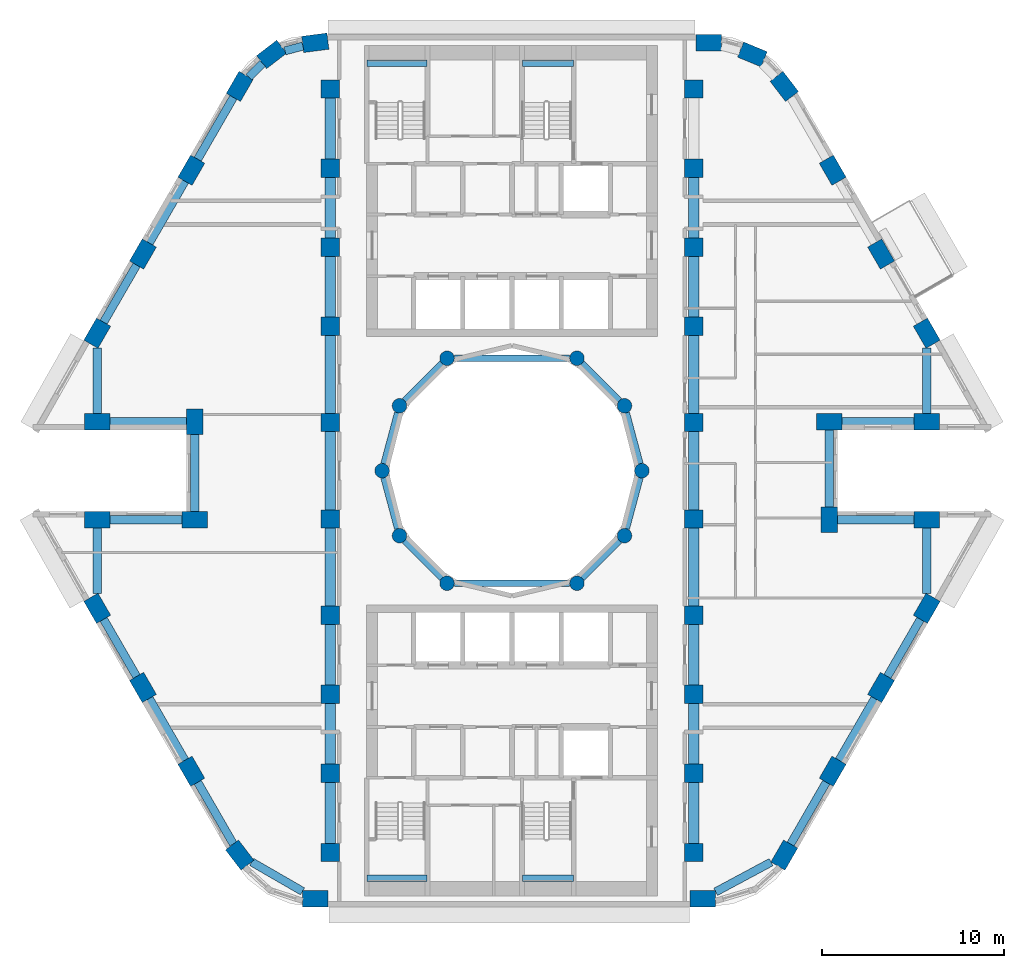
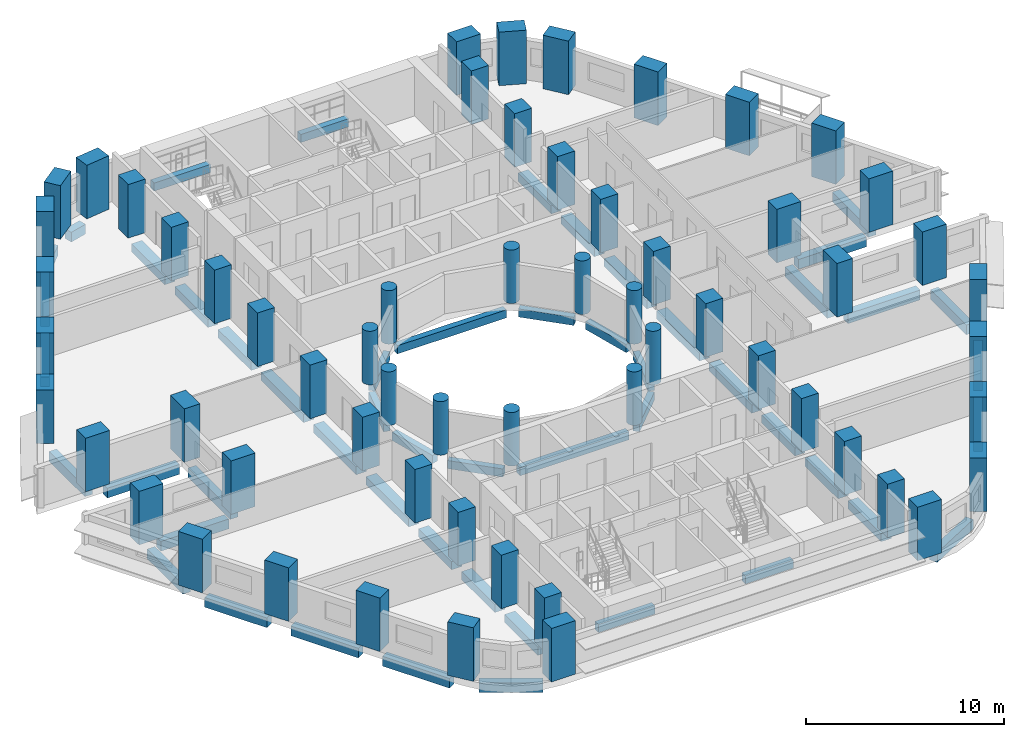
# One storey, part 1 of 13: 60 columns, 54 beams.
"""IFC4 building model written with IfcOpenShell, lengths in metres."""

from ifc_helpers import new_model, si_unit, direction, frame, origin, origin_2d, place, context, subcontext, project, spatial, rectangle, circle, extrude, material, material_profile, profile_set, type_object, element, save


model = new_model("IFC4")

# Units and contexts
model_context = context("Model", 3, precision=1e-05, world=origin(), true_north=direction((0.0, 1.0)))
body_context = subcontext(model_context, "Body", "Model", "MODEL_VIEW")
ifc_project = project(units=[si_unit("LENGTHUNIT", "METRE"), si_unit("AREAUNIT", "SQUARE_METRE"), si_unit("VOLUMEUNIT", "CUBIC_METRE"), si_unit("PLANEANGLEUNIT", "RADIAN"), si_unit("MASSUNIT", "GRAM", prefix="KILO")], contexts=[model_context])

# Site, building, storey
site_placement = place(None, origin())
site = spatial("IfcSite", under=ifc_project, at=site_placement, CompositionType="ELEMENT")
building_placement = place(site_placement, origin())
building = spatial("IfcBuilding", under=site, at=building_placement, Name="Nakaniwa Court", CompositionType="ELEMENT")
storey_placement = place(building_placement, frame((0.0, 0.0, 77.699951171875)))
storey = spatial("IfcBuildingStorey", under=building, at=storey_placement, Name="L19", CompositionType="ELEMENT", Elevation=77.699951171875)

# Columns
ifc_material = material(Name="Concrete C80/100", Category="concrete")
ifc_material_profile_1 = material_profile(ifc_material, rectangle(XDim=1.0, YDim=1.0, at=origin_2d()), Name="Concrete C80/100 RC 1000x1000 spine column")
ifc_profile_set_1 = profile_set([ifc_material_profile_1], Name="Concrete C80/100")
column_type_1 = type_object("IfcColumnType", Name="Concrete C80/100 RC 1000x1000 spine column", PredefinedType="COLUMN", material=ifc_profile_set_1)
for number, where, z_axis, x_axis, name in (
    (1, (90.0, 59.0, 0.0), (0.0, 0.0, 1.0), (0.0, 1.0, 0.0), "COLUMN CS-01"),
    (2, (90.0, 63.35009765625, 0.0), (0.0, 0.0, 1.0), (0.0, 1.0, 0.0), "COLUMN CS-02"),
    (3, (90.0, 67.699951171875, 0.0), (0.0, 0.0, 1.0), (0.0, 1.0, 0.0), "COLUMN CS-03"),
    (4, (90.0, 72.050048828125, 0.0), (0.0, 0.0, 1.0), (0.0, 1.0, 0.0), "COLUMN CS-04"),
    (5, (90.0, 77.35009765625, 0.0), (0.0, 0.0, 1.0), (0.0, 1.0, 0.0), "COLUMN CS-05"),
    (6, (90.0, 82.64990234375, 0.0), (0.0, 0.0, 1.0), (0.0, 1.0, 0.0), "COLUMN CS-06"),
    (7, (90.0, 87.949951171875, 0.0), (0.0, 0.0, 1.0), (0.0, 1.0, 0.0), "COLUMN CS-07"),
    (8, (90.0, 92.300048828125, 0.0), (0.0, 0.0, 1.0), (0.0, 1.0, 0.0), "COLUMN CS-08"),
    (9, (90.0, 96.64990234375, 0.0), (0.0, 0.0, 1.0), (0.0, 1.0, 0.0), "COLUMN CS-09"),
    (10, (90.0, 101.0, 0.0), (0.0, 0.0, 1.0), (0.0, 1.0, 0.0), "COLUMN CS-10"),
    (11, (70.0, 101.0, 0.0), (0.0, 0.0, 1.0), (0.0, -1.0, 0.0), "COLUMN CS-11"),
    (12, (70.0, 96.64990234375, 0.0), (0.0, 0.0, 1.0), (0.0, -1.0, 0.0), "COLUMN CS-12"),
    (13, (70.0, 92.300048828125, 0.0), (0.0, 0.0, 1.0), (0.0, -1.0, 0.0), "COLUMN CS-13"),
    (14, (70.0, 87.949951171875, 0.0), (0.0, 0.0, 1.0), (0.0, -1.0, 0.0), "COLUMN CS-14"),
    (15, (70.0, 82.64990234375, 0.0), (0.0, 0.0, 1.0), (0.0, -1.0, 0.0), "COLUMN CS-15"),
    (16, (70.0, 77.35009765625, 0.0), (0.0, 0.0, 1.0), (0.0, -1.0, 0.0), "COLUMN CS-16"),
    (17, (70.0, 72.050048828125, 0.0), (0.0, 0.0, 1.0), (0.0, -1.0, 0.0), "COLUMN CS-17"),
    (18, (70.0, 67.699951171875, 0.0), (0.0, 0.0, 1.0), (0.0, -1.0, 0.0), "COLUMN CS-18"),
    (19, (70.0, 63.35009765625, 0.0), (0.0, 0.0, 1.0), (0.0, -1.0, 0.0), "COLUMN CS-19"),
    (20, (70.0, 59.0, 0.0), (0.0, 0.0, 1.0), (0.0, -1.0, 0.0), "COLUMN CS-20"),
):
    element("IfcColumn", number, at=place(storey_placement, frame(where, z_axis=z_axis, x_axis=x_axis)), inside=storey, type_object=column_type_1, Name=name, PredefinedType="COLUMN", context=body_context, shape_type="SweptSolid", body=[
        extrude(rectangle(XDim=1.0, YDim=1.0, at=origin_2d()), origin(), (0.0, 0.0, 1.0), 3.300048828125),
    ])
ifc_material_profile_2 = material_profile(ifc_material, rectangle(XDim=1.39990234375, YDim=0.89990234375, at=origin_2d()), Name="Concrete C80/100 RC 1400x900 perimeter column")
ifc_profile_set_2 = profile_set([ifc_material_profile_2], Name="Concrete C80/100")
column_type_2 = type_object("IfcColumnType", Name="Concrete C80/100 RC 1400x900 perimeter column", PredefinedType="COLUMN", material=ifc_profile_set_2)
for number, where, z_axis, x_axis, name in (
    (21, (69.17529296875, 103.550048828125, 0.0), (0.0, 0.0, 1.0), (-0.991442583111, -0.130543496177, 0.0), "COLUMN CO-01"),
    (22, (66.772705078125, 102.91015625, 0.0), (0.0, 0.0, 1.0), (-0.793363965062, -0.608747582288, 0.0), "COLUMN CO-02"),
    (23, (65.017578125, 101.1494140625, 0.0), (0.0, 0.0, 1.0), (-0.5, -0.866025403784, 0.0), "COLUMN CO-03"),
    (24, (62.3544921875, 96.537109375, 0.0), (0.0, 0.0, 1.0), (-0.5, -0.866025403784, 0.0), "COLUMN CO-04"),
    (25, (59.691650390625, 91.9248046875, 0.0), (0.0, 0.0, 1.0), (-0.5, -0.866025403784, 0.0), "COLUMN CO-05"),
    (26, (57.177001953125, 87.569580078125, 0.0), (0.0, 0.0, 1.0), (-0.5, -0.866025403784, 0.0), "COLUMN CO-06"),
    (27, (57.177001953125, 82.699951171875, 0.0), (0.0, 0.0, 1.0), (1.0, 0.0, 0.0), "COLUMN CO-08"),
    (28, (62.54150390625, 82.699951171875, 0.0), (0.0, 0.0, 1.0), (0.0, -1.0, 0.0), "COLUMN CO-09"),
    (29, (62.54150390625, 77.300048828125, 0.0), (0.0, 0.0, 1.0), (-1.0, 0.0, 0.0), "COLUMN CO-10"),
    (30, (57.177001953125, 77.300048828125, 0.0), (0.0, 0.0, 1.0), (-1.0, 0.0, 0.0), "COLUMN CO-11"),
    (31, (57.177001953125, 72.430419921875, 0.0), (0.0, 0.0, 1.0), (0.5, -0.866025403784, 0.0), "COLUMN CO-13"),
    (32, (59.691650390625, 68.0751953125, 0.0), (0.0, 0.0, 1.0), (0.5, -0.866025403784, 0.0), "COLUMN CO-14"),
    (33, (62.3544921875, 63.462890625, 0.0), (0.0, 0.0, 1.0), (0.5, -0.866025403784, 0.0), "COLUMN CO-15"),
    (34, (65.017578125, 58.8505859375, 0.0), (0.0, 0.0, 1.0), (0.608761429009, -0.793353340291, 0.0), "COLUMN CO-16"),
    (35, (69.17529296875, 56.449951171875, 0.0), (0.0, 0.0, 1.0), (1.0, 0.0, 0.0), "COLUMN CO-17"),
    (36, (90.507080078125, 56.449951171875, 0.0), (0.0, 0.0, 1.0), (1.0, 0.0, 0.0), "COLUMN CO-21"),
    (37, (94.982421875, 58.8505859375, 0.0), (0.0, 0.0, 1.0), (0.5, 0.866025403784, 0.0), "COLUMN CO-22"),
    (38, (97.6455078125, 63.462890625, 0.0), (0.0, 0.0, 1.0), (0.5, 0.866025403784, 0.0), "COLUMN CO-23"),
    (39, (100.308349609375, 68.0751953125, 0.0), (0.0, 0.0, 1.0), (0.5, 0.866025403784, 0.0), "COLUMN CO-24"),
    (40, (102.822998046875, 72.430419921875, 0.0), (0.0, 0.0, 1.0), (0.5, 0.866025403784, 0.0), "COLUMN CO-25"),
    (41, (102.822998046875, 77.300048828125, 0.0), (0.0, 0.0, 1.0), (-1.0, 0.0, 0.0), "COLUMN CO-27"),
    (42, (97.45849609375, 77.300048828125, 0.0), (0.0, 0.0, 1.0), (0.0, 1.0, 0.0), "COLUMN CO-28"),
    (43, (97.45849609375, 82.699951171875, 0.0), (0.0, 0.0, 1.0), (1.0, 0.0, 0.0), "COLUMN CO-29"),
    (44, (102.822998046875, 82.699951171875, 0.0), (0.0, 0.0, 1.0), (1.0, 0.0, 0.0), "COLUMN CO-30"),
    (45, (102.822998046875, 87.569580078125, 0.0), (0.0, 0.0, 1.0), (-0.5, 0.866025403784, 0.0), "COLUMN CO-32"),
    (46, (100.308349609375, 91.9248046875, 0.0), (0.0, 0.0, 1.0), (-0.5, 0.866025403784, 0.0), "COLUMN CO-33"),
    (47, (97.6455078125, 96.537109375, 0.0), (0.0, 0.0, 1.0), (-0.5, 0.866025403784, 0.0), "COLUMN CO-34"),
    (48, (94.982421875, 101.1494140625, 0.0), (0.0, 0.0, 1.0), (-0.608761429009, 0.793353340291, 0.0), "COLUMN CO-35"),
    (49, (93.227294921875, 102.91015625, 0.0), (0.0, 0.0, 1.0), (-0.923879532511, 0.382683432365, 0.0), "COLUMN CO-36"),
    (50, (90.82470703125, 103.550048828125, 0.0), (0.0, 0.0, 1.0), (-1.0, 0.0, 0.0), "COLUMN CO-37"),
):
    element("IfcColumn", number, at=place(storey_placement, frame(where, z_axis=z_axis, x_axis=x_axis)), inside=storey, type_object=column_type_2, Name=name, PredefinedType="COLUMN", context=body_context, shape_type="SweptSolid", body=[
        extrude(rectangle(XDim=1.39990234375, YDim=0.89990234375, at=origin_2d()), origin(), (0.0, 0.0, 1.0), 3.300048828125),
    ])
ifc_material_profile_3 = material_profile(ifc_material, circle(Radius=0.39990234375, at=origin_2d()), Name="Concrete C80/100 RC D800 inner ring column")
ifc_profile_set_3 = profile_set([ifc_material_profile_3], Name="Concrete C80/100")
column_type_3 = type_object("IfcColumnType", Name="Concrete C80/100 RC D800 inner ring column", PredefinedType="COLUMN", material=ifc_profile_set_3)
for number, where, z_axis, x_axis, name in (
    (51, (87.14990234375, 80.0, 0.0), (0.0, 0.0, 1.0), (0.0, 1.0, 0.0), "COLUMN CI-01"),
    (52, (86.192138671875, 83.574951171875, 0.0), (0.0, 0.0, 1.0), (-0.5, 0.866025403784, 0.0), "COLUMN CI-02"),
    (53, (83.574951171875, 86.192138671875, 0.0), (0.0, 0.0, 1.0), (-0.866025403784, 0.5, 0.0), "COLUMN CI-03"),
    (54, (76.425048828125, 86.192138671875, 0.0), (0.0, 0.0, 1.0), (-0.866025403784, -0.5, 0.0), "COLUMN CI-05"),
    (55, (73.807861328125, 83.574951171875, 0.0), (0.0, 0.0, 1.0), (-0.5, -0.866025403784, 0.0), "COLUMN CI-06"),
    (56, (72.85009765625, 80.0, 0.0), (0.0, 0.0, 1.0), (0.0, -1.0, 0.0), "COLUMN CI-07"),
    (57, (73.807861328125, 76.425048828125, 0.0), (0.0, 0.0, 1.0), (0.5, -0.866025403784, 0.0), "COLUMN CI-08"),
    (58, (76.425048828125, 73.807861328125, 0.0), (0.0, 0.0, 1.0), (0.866025403784, -0.5, 0.0), "COLUMN CI-09"),
    (59, (83.574951171875, 73.807861328125, 0.0), (0.0, 0.0, 1.0), (0.866025403784, 0.5, 0.0), "COLUMN CI-11"),
    (60, (86.192138671875, 76.425048828125, 0.0), (0.0, 0.0, 1.0), (0.5, 0.866025403784, 0.0), "COLUMN CI-12"),
):
    element("IfcColumn", number, at=place(storey_placement, frame(where, z_axis=z_axis, x_axis=x_axis)), inside=storey, type_object=column_type_3, Name=name, PredefinedType="COLUMN", context=body_context, shape_type="SweptSolid", body=[
        extrude(circle(Radius=0.39990234375, at=origin_2d()), origin(), (0.0, 0.0, 1.0), 3.300048828125),
    ])

# Beams
ifc_material_profile_4 = material_profile(ifc_material, rectangle(XDim=0.35009765625, YDim=0.5, at=origin_2d()), Name="Concrete C80/100 RC 350x500 landing ledge beam")
ifc_profile_set_4 = profile_set([ifc_material_profile_4], Name="Concrete C80/100")
beam_type_1 = type_object("IfcBeamType", Name="Concrete C80/100 RC 350x500 landing ledge beam", PredefinedType="BEAM", material=ifc_profile_set_4)
beam_1_placement = place(storey_placement, frame((72.02490234375, 102.425048828125, 1.199951171875), z_axis=(1.0, 0.0, 0.0), x_axis=(0.0, 1.0, 0.0)))
element("IfcBeam", 61, at=beam_1_placement, inside=storey, type_object=beam_type_1, Name="LANDING LEDGE BEAM", PredefinedType="BEAM", context=body_context, shape_type="SweptSolid", body=[
    extrude(rectangle(XDim=0.35009765625, YDim=0.5, at=origin_2d()), origin(), (0.0, 0.0, 1.0), 3.300048828125),
])
beam_2_placement = place(storey_placement, frame((80.574951171875, 102.425048828125, 1.199951171875), z_axis=(1.0, 0.0, 0.0), x_axis=(0.0, 1.0, 0.0)))
element("IfcBeam", 62, at=beam_2_placement, inside=storey, type_object=beam_type_1, Name="LANDING LEDGE BEAM", PredefinedType="BEAM", context=body_context, shape_type="SweptSolid", body=[
    extrude(rectangle(XDim=0.35009765625, YDim=0.5, at=origin_2d()), origin(), (0.0, 0.0, 1.0), 2.800048828125),
])
beam_3_placement = place(storey_placement, frame((72.02490234375, 57.574951171875, 1.199951171875), z_axis=(1.0, 0.0, 0.0), x_axis=(0.0, 1.0, 0.0)))
element("IfcBeam", 63, at=beam_3_placement, inside=storey, type_object=beam_type_1, Name="LANDING LEDGE BEAM", PredefinedType="BEAM", context=body_context, shape_type="SweptSolid", body=[
    extrude(rectangle(XDim=0.35009765625, YDim=0.5, at=origin_2d()), origin(), (0.0, 0.0, 1.0), 3.300048828125),
])
beam_4_placement = place(storey_placement, frame((80.574951171875, 57.574951171875, 1.199951171875), z_axis=(1.0, 0.0, 0.0), x_axis=(0.0, 1.0, 0.0)))
element("IfcBeam", 64, at=beam_4_placement, inside=storey, type_object=beam_type_1, Name="LANDING LEDGE BEAM", PredefinedType="BEAM", context=body_context, shape_type="SweptSolid", body=[
    extrude(rectangle(XDim=0.35009765625, YDim=0.5, at=origin_2d()), origin(), (0.0, 0.0, 1.0), 2.800048828125),
])
ifc_material_profile_5 = material_profile(ifc_material, rectangle(XDim=0.35009765625, YDim=0.5, at=origin_2d()), Name="Concrete C80/100 RC 350x500 ring beam")
ifc_profile_set_5 = profile_set([ifc_material_profile_5], Name="Concrete C80/100")
beam_type_2 = type_object("IfcBeamType", Name="Concrete C80/100 RC 350x500 ring beam", PredefinedType="BEAM", material=ifc_profile_set_5)
beam_5_placement = place(storey_placement, frame((87.04638671875, 80.386474609375, -0.659912109375), z_axis=(-0.258778150207, 0.965936783115, 0.0), x_axis=(-0.965936783115, -0.258778150207, 0.0)))
element("IfcBeam", 65, at=beam_5_placement, inside=storey, type_object=beam_type_2, Name="RING BEAM", PredefinedType="BEAM", context=body_context, shape_type="SweptSolid", body=[
    extrude(rectangle(XDim=0.35009765625, YDim=0.5, at=origin_2d()), origin(), (0.0, 0.0, 1.0), 2.901123046875),
])
beam_6_placement = place(storey_placement, frame((85.9091796875, 83.85791015625, -0.659912109375), z_axis=(-0.707106781187, 0.707106781187, 0.0), x_axis=(-0.707106781187, -0.707106781187, 0.0)))
element("IfcBeam", 66, at=beam_6_placement, inside=storey, type_object=beam_type_2, Name="RING BEAM", PredefinedType="BEAM", context=body_context, shape_type="SweptSolid", body=[
    extrude(rectangle(XDim=0.35009765625, YDim=0.5, at=origin_2d()), origin(), (0.0, 0.0, 1.0), 2.90087890625),
])
beam_7_placement = place(storey_placement, frame((83.175048828125, 86.192138671875, -0.659912109375), z_axis=(-1.0, 0.0, 0.0), x_axis=(0.0, -1.0, 0.0)))
element("IfcBeam", 67, at=beam_7_placement, inside=storey, type_object=beam_type_2, Name="RING BEAM", PredefinedType="BEAM", context=body_context, shape_type="SweptSolid", body=[
    extrude(rectangle(XDim=0.35009765625, YDim=0.5, at=origin_2d()), origin(), (0.0, 0.0, 1.0), 6.35009765625),
])
beam_8_placement = place(storey_placement, frame((76.14208984375, 85.9091796875, -0.659912109375), z_axis=(-0.707106781187, -0.707106781187, 0.0), x_axis=(0.707106781187, -0.707106781187, 0.0)))
element("IfcBeam", 68, at=beam_8_placement, inside=storey, type_object=beam_type_2, Name="RING BEAM", PredefinedType="BEAM", context=body_context, shape_type="SweptSolid", body=[
    extrude(rectangle(XDim=0.35009765625, YDim=0.5, at=origin_2d()), origin(), (0.0, 0.0, 1.0), 2.90087890625),
])
for number, where, z_axis, x_axis, name in (
    (69, (73.704345703125, 83.188720703125, -0.659912109375), (-0.258778150207, -0.965936783115, 0.0), (0.965936783115, -0.258778150207, 0.0), "RING BEAM"),
    (70, (72.95361328125, 79.613525390625, -0.659912109375), (0.258778150207, -0.965936783115, 0.0), (0.965936783115, 0.258778150207, 0.0), "RING BEAM"),
):
    element("IfcBeam", number, at=place(storey_placement, frame(where, z_axis=z_axis, x_axis=x_axis)), inside=storey, type_object=beam_type_2, Name=name, PredefinedType="BEAM", context=body_context, shape_type="SweptSolid", body=[
        extrude(rectangle(XDim=0.35009765625, YDim=0.5, at=origin_2d()), origin(), (0.0, 0.0, 1.0), 2.901123046875),
    ])
beam_9_placement = place(storey_placement, frame((74.0908203125, 76.14208984375, -0.659912109375), z_axis=(0.707106781187, -0.707106781187, 0.0), x_axis=(0.707106781187, 0.707106781187, 0.0)))
element("IfcBeam", 71, at=beam_9_placement, inside=storey, type_object=beam_type_2, Name="RING BEAM", PredefinedType="BEAM", context=body_context, shape_type="SweptSolid", body=[
    extrude(rectangle(XDim=0.35009765625, YDim=0.5, at=origin_2d()), origin(), (0.0, 0.0, 1.0), 2.90087890625),
])
beam_10_placement = place(storey_placement, frame((76.824951171875, 73.807861328125, -0.659912109375), z_axis=(1.0, 0.0, 0.0), x_axis=(0.0, 1.0, 0.0)))
element("IfcBeam", 72, at=beam_10_placement, inside=storey, type_object=beam_type_2, Name="RING BEAM", PredefinedType="BEAM", context=body_context, shape_type="SweptSolid", body=[
    extrude(rectangle(XDim=0.35009765625, YDim=0.5, at=origin_2d()), origin(), (0.0, 0.0, 1.0), 6.35009765625),
])
beam_11_placement = place(storey_placement, frame((83.85791015625, 74.0908203125, -0.659912109375), z_axis=(0.707106781187, 0.707106781187, 0.0), x_axis=(-0.707106781187, 0.707106781187, 0.0)))
element("IfcBeam", 73, at=beam_11_placement, inside=storey, type_object=beam_type_2, Name="RING BEAM", PredefinedType="BEAM", context=body_context, shape_type="SweptSolid", body=[
    extrude(rectangle(XDim=0.35009765625, YDim=0.5, at=origin_2d()), origin(), (0.0, 0.0, 1.0), 2.90087890625),
])
beam_12_placement = place(storey_placement, frame((86.295654296875, 76.811279296875, -0.659912109375), z_axis=(0.258778150207, 0.965936783115, 0.0), x_axis=(-0.965936783115, 0.258778150207, 0.0)))
element("IfcBeam", 74, at=beam_12_placement, inside=storey, type_object=beam_type_2, Name="RING BEAM", PredefinedType="BEAM", context=body_context, shape_type="SweptSolid", body=[
    extrude(rectangle(XDim=0.35009765625, YDim=0.5, at=origin_2d()), origin(), (0.0, 0.0, 1.0), 2.901123046875),
])
ifc_material_profile_6 = material_profile(ifc_material, rectangle(XDim=0.449951171875, YDim=0.60009765625, at=origin_2d()), Name="Concrete C80/100 RC 450x600 spandrel beam")
ifc_profile_set_6 = profile_set([ifc_material_profile_6], Name="Concrete C80/100")
beam_type_3 = type_object("IfcBeamType", Name="Concrete C80/100 RC 450x600 spandrel beam", PredefinedType="BEAM", material=ifc_profile_set_6)
beam_13_placement = place(storey_placement, frame((68.4931640625, 103.368408203125, -0.7099609375), z_axis=(-0.966290412053, -0.257454538851, 0.0), x_axis=(0.257454538851, -0.966290412053, 0.0)))
element("IfcBeam", 75, at=beam_13_placement, inside=storey, type_object=beam_type_3, Name="SPANDREL BEAM", PredefinedType="BEAM", context=body_context, shape_type="SweptSolid", body=[
    extrude(rectangle(XDim=0.449951171875, YDim=0.60009765625, at=origin_2d()), origin(), (0.0, 0.0, 1.0), 1.022216796875),
])
beam_14_placement = place(storey_placement, frame((66.274169921875, 102.41015625, -0.7099609375), z_axis=(-0.70606530329, -0.708146727374, 0.0), x_axis=(0.708146727374, -0.70606530329, 0.0)))
element("IfcBeam", 76, at=beam_14_placement, inside=storey, type_object=beam_type_3, Name="SPANDREL BEAM", PredefinedType="BEAM", context=body_context, shape_type="SweptSolid", body=[
    extrude(rectangle(XDim=0.449951171875, YDim=0.60009765625, at=origin_2d()), origin(), (0.0, 0.0, 1.0), 1.0556640625),
])
for number, where, z_axis, x_axis, name in (
    (77, (64.66748046875, 100.543212890625, -0.7099609375), (-0.49999161165, -0.866030246746, 0.0), (0.866030246746, -0.49999161165, 0.0), "SPANDREL BEAM"),
    (78, (62.00439453125, 95.930908203125, -0.7099609375), (-0.49999161165, -0.866030246746, 0.0), (0.866030246746, -0.49999161165, 0.0), "SPANDREL BEAM"),
):
    element("IfcBeam", number, at=place(storey_placement, frame(where, z_axis=z_axis, x_axis=x_axis)), inside=storey, type_object=beam_type_3, Name=name, PredefinedType="BEAM", context=body_context, shape_type="SweptSolid", body=[
        extrude(rectangle(XDim=0.449951171875, YDim=0.60009765625, at=origin_2d()), origin(), (0.0, 0.0, 1.0), 3.92578125),
    ])
beam_15_placement = place(storey_placement, frame((59.341552734375, 91.318603515625, -0.7099609375), z_axis=(-0.499988394233, -0.866032104273, 0.0), x_axis=(0.866032104273, -0.499988394233, 0.0)))
element("IfcBeam", 79, at=beam_15_placement, inside=storey, type_object=beam_type_3, Name="SPANDREL BEAM", PredefinedType="BEAM", context=body_context, shape_type="SweptSolid", body=[
    extrude(rectangle(XDim=0.449951171875, YDim=0.60009765625, at=origin_2d()), origin(), (0.0, 0.0, 1.0), 3.62890625),
])
beam_16_placement = place(storey_placement, frame((57.177001953125, 86.761474609375, -0.7099609375), z_axis=(0.0, -1.0, 0.0), x_axis=(1.0, 0.0, 0.0)))
element("IfcBeam", 80, at=beam_16_placement, inside=storey, type_object=beam_type_3, Name="SPANDREL BEAM", PredefinedType="BEAM", context=body_context, shape_type="SweptSolid", body=[
    extrude(rectangle(XDim=0.449951171875, YDim=0.60009765625, at=origin_2d()), origin(), (0.0, 0.0, 1.0), 3.611572265625),
])
beam_17_placement = place(storey_placement, frame((57.877197265625, 82.699951171875, -0.7099609375), z_axis=(1.0, 0.0, 0.0), x_axis=(0.0, 1.0, 0.0)))
element("IfcBeam", 81, at=beam_17_placement, inside=storey, type_object=beam_type_3, Name="SPANDREL BEAM", PredefinedType="BEAM", context=body_context, shape_type="SweptSolid", body=[
    extrude(rectangle(XDim=0.449951171875, YDim=0.60009765625, at=origin_2d()), origin(), (0.0, 0.0, 1.0), 4.21435546875),
])
beam_18_placement = place(storey_placement, frame((62.54150390625, 82.0, -0.7099609375), z_axis=(0.0, -1.0, 0.0), x_axis=(1.0, 0.0, 0.0)))
element("IfcBeam", 82, at=beam_18_placement, inside=storey, type_object=beam_type_3, Name="SPANDREL BEAM", PredefinedType="BEAM", context=body_context, shape_type="SweptSolid", body=[
    extrude(rectangle(XDim=0.449951171875, YDim=0.60009765625, at=origin_2d()), origin(), (0.0, 0.0, 1.0), 4.25),
])
beam_19_placement = place(storey_placement, frame((61.841552734375, 77.300048828125, -0.7099609375), z_axis=(-1.0, 0.0, 0.0), x_axis=(0.0, -1.0, 0.0)))
element("IfcBeam", 83, at=beam_19_placement, inside=storey, type_object=beam_type_3, Name="SPANDREL BEAM", PredefinedType="BEAM", context=body_context, shape_type="SweptSolid", body=[
    extrude(rectangle(XDim=0.449951171875, YDim=0.60009765625, at=origin_2d()), origin(), (0.0, 0.0, 1.0), 3.96435546875),
])
beam_20_placement = place(storey_placement, frame((57.177001953125, 76.85009765625, -0.7099609375), z_axis=(0.0, -1.0, 0.0), x_axis=(1.0, 0.0, 0.0)))
element("IfcBeam", 84, at=beam_20_placement, inside=storey, type_object=beam_type_3, Name="SPANDREL BEAM", PredefinedType="BEAM", context=body_context, shape_type="SweptSolid", body=[
    extrude(rectangle(XDim=0.449951171875, YDim=0.60009765625, at=origin_2d()), origin(), (0.0, 0.0, 1.0), 3.611572265625),
])
beam_21_placement = place(storey_placement, frame((57.527099609375, 71.82421875, -0.7099609375), z_axis=(0.499988394233, -0.866032104273, 0.0), x_axis=(0.866032104273, 0.499988394233, 0.0)))
element("IfcBeam", 85, at=beam_21_placement, inside=storey, type_object=beam_type_3, Name="SPANDREL BEAM", PredefinedType="BEAM", context=body_context, shape_type="SweptSolid", body=[
    extrude(rectangle(XDim=0.449951171875, YDim=0.60009765625, at=origin_2d()), origin(), (0.0, 0.0, 1.0), 3.62890625),
])
beam_22_placement = place(storey_placement, frame((60.04150390625, 67.468994140625, -0.7099609375), z_axis=(0.49999161165, -0.866030246746, 0.0), x_axis=(0.866030246746, 0.49999161165, 0.0)))
element("IfcBeam", 86, at=beam_22_placement, inside=storey, type_object=beam_type_3, Name="SPANDREL BEAM", PredefinedType="BEAM", context=body_context, shape_type="SweptSolid", body=[
    extrude(rectangle(XDim=0.449951171875, YDim=0.60009765625, at=origin_2d()), origin(), (0.0, 0.0, 1.0), 3.92578125),
])
beam_23_placement = place(storey_placement, frame((62.70458984375, 62.856689453125, -0.7099609375), z_axis=(0.499997407846, -0.86602690036, 0.0), x_axis=(0.86602690036, 0.499997407846, 0.0)))
element("IfcBeam", 87, at=beam_23_placement, inside=storey, type_object=beam_type_3, Name="SPANDREL BEAM", PredefinedType="BEAM", context=body_context, shape_type="SweptSolid", body=[
    extrude(rectangle(XDim=0.449951171875, YDim=0.60009765625, at=origin_2d()), origin(), (0.0, 0.0, 1.0), 3.919921875),
])
beam_24_placement = place(storey_placement, frame((65.673583984375, 58.4716796875, -0.7099609375), z_axis=(0.866014675542, -0.5000185814, 0.0), x_axis=(0.5000185814, 0.866014675542, 0.0)))
element("IfcBeam", 88, at=beam_24_placement, inside=storey, type_object=beam_type_3, Name="SPANDREL BEAM", PredefinedType="BEAM", context=body_context, shape_type="SweptSolid", body=[
    extrude(rectangle(XDim=0.449951171875, YDim=0.60009765625, at=origin_2d()), origin(), (0.0, 0.0, 1.0), 3.2353515625),
])
beam_25_placement = place(storey_placement, frame((91.20703125, 56.825439453125, -0.7099609375), z_axis=(0.881233381314, 0.472681423009, 0.0), x_axis=(-0.472681423009, 0.881233381314, 0.0)))
element("IfcBeam", 89, at=beam_25_placement, inside=storey, type_object=beam_type_3, Name="SPANDREL BEAM", PredefinedType="BEAM", context=body_context, shape_type="SweptSolid", body=[
    extrude(rectangle(XDim=0.449951171875, YDim=0.60009765625, at=origin_2d()), origin(), (0.0, 0.0, 1.0), 3.46044921875),
])
for number, where, z_axis, x_axis, name in (
    (90, (95.33251953125, 59.456787109375, -0.7099609375), (0.49999161165, 0.866030246746, 0.0), (-0.866030246746, 0.49999161165, 0.0), "SPANDREL BEAM"),
    (91, (97.99560546875, 64.069091796875, -0.7099609375), (0.49999161165, 0.866030246746, 0.0), (-0.866030246746, 0.49999161165, 0.0), "SPANDREL BEAM"),
):
    element("IfcBeam", number, at=place(storey_placement, frame(where, z_axis=z_axis, x_axis=x_axis)), inside=storey, type_object=beam_type_3, Name=name, PredefinedType="BEAM", context=body_context, shape_type="SweptSolid", body=[
        extrude(rectangle(XDim=0.449951171875, YDim=0.60009765625, at=origin_2d()), origin(), (0.0, 0.0, 1.0), 3.92578125),
    ])
beam_26_placement = place(storey_placement, frame((100.658447265625, 68.681396484375, -0.7099609375), z_axis=(0.499988394233, 0.866032104273, 0.0), x_axis=(-0.866032104273, 0.499988394233, 0.0)))
element("IfcBeam", 92, at=beam_26_placement, inside=storey, type_object=beam_type_3, Name="SPANDREL BEAM", PredefinedType="BEAM", context=body_context, shape_type="SweptSolid", body=[
    extrude(rectangle(XDim=0.449951171875, YDim=0.60009765625, at=origin_2d()), origin(), (0.0, 0.0, 1.0), 3.62890625),
])
beam_27_placement = place(storey_placement, frame((102.822998046875, 73.238525390625, -0.7099609375), z_axis=(0.0, 1.0, 0.0), x_axis=(-1.0, 0.0, 0.0)))
element("IfcBeam", 93, at=beam_27_placement, inside=storey, type_object=beam_type_3, Name="SPANDREL BEAM", PredefinedType="BEAM", context=body_context, shape_type="SweptSolid", body=[
    extrude(rectangle(XDim=0.449951171875, YDim=0.60009765625, at=origin_2d()), origin(), (0.0, 0.0, 1.0), 3.611572265625),
])
beam_28_placement = place(storey_placement, frame((102.122802734375, 77.300048828125, -0.7099609375), z_axis=(-1.0, 0.0, 0.0), x_axis=(0.0, -1.0, 0.0)))
element("IfcBeam", 94, at=beam_28_placement, inside=storey, type_object=beam_type_3, Name="SPANDREL BEAM", PredefinedType="BEAM", context=body_context, shape_type="SweptSolid", body=[
    extrude(rectangle(XDim=0.449951171875, YDim=0.60009765625, at=origin_2d()), origin(), (0.0, 0.0, 1.0), 4.21435546875),
])
beam_29_placement = place(storey_placement, frame((97.45849609375, 78.0, -0.7099609375), z_axis=(0.0, 1.0, 0.0), x_axis=(-1.0, 0.0, 0.0)))
element("IfcBeam", 95, at=beam_29_placement, inside=storey, type_object=beam_type_3, Name="SPANDREL BEAM", PredefinedType="BEAM", context=body_context, shape_type="SweptSolid", body=[
    extrude(rectangle(XDim=0.449951171875, YDim=0.60009765625, at=origin_2d()), origin(), (0.0, 0.0, 1.0), 4.25),
])
beam_30_placement = place(storey_placement, frame((98.158447265625, 82.699951171875, -0.7099609375), z_axis=(1.0, 0.0, 0.0), x_axis=(0.0, 1.0, 0.0)))
element("IfcBeam", 96, at=beam_30_placement, inside=storey, type_object=beam_type_3, Name="SPANDREL BEAM", PredefinedType="BEAM", context=body_context, shape_type="SweptSolid", body=[
    extrude(rectangle(XDim=0.449951171875, YDim=0.60009765625, at=origin_2d()), origin(), (0.0, 0.0, 1.0), 3.96435546875),
])
beam_31_placement = place(storey_placement, frame((102.822998046875, 83.14990234375, -0.7099609375), z_axis=(0.0, 1.0, 0.0), x_axis=(-1.0, 0.0, 0.0)))
element("IfcBeam", 97, at=beam_31_placement, inside=storey, type_object=beam_type_3, Name="SPANDREL BEAM", PredefinedType="BEAM", context=body_context, shape_type="SweptSolid", body=[
    extrude(rectangle(XDim=0.449951171875, YDim=0.60009765625, at=origin_2d()), origin(), (0.0, 0.0, 1.0), 3.611572265625),
])
ifc_material_profile_7 = material_profile(ifc_material, rectangle(XDim=0.60009765625, YDim=0.5, at=origin_2d()), Name="Concrete C80/100 RC 600x500 ring beam")
ifc_profile_set_7 = profile_set([ifc_material_profile_7], Name="Concrete C80/100")
beam_type_4 = type_object("IfcBeamType", Name="Concrete C80/100 RC 600x500 ring beam", PredefinedType="BEAM", material=ifc_profile_set_7)
beam_32_placement = place(storey_placement, frame((90.0, 59.5, -0.659912109375), z_axis=(0.0, 1.0, 0.0), x_axis=(-1.0, 0.0, 0.0)))
element("IfcBeam", 98, at=beam_32_placement, inside=storey, type_object=beam_type_4, Name="RING BEAM", PredefinedType="BEAM", context=body_context, shape_type="SweptSolid", body=[
    extrude(rectangle(XDim=0.60009765625, YDim=0.5, at=origin_2d()), origin(), (0.0, 0.0, 1.0), 3.35009765625),
])
beam_33_placement = place(storey_placement, frame((90.0, 63.85009765625, -0.659912109375), z_axis=(0.0, 1.0, 0.0), x_axis=(-1.0, 0.0, 0.0)))
element("IfcBeam", 99, at=beam_33_placement, inside=storey, type_object=beam_type_4, Name="RING BEAM", PredefinedType="BEAM", context=body_context, shape_type="SweptSolid", body=[
    extrude(rectangle(XDim=0.60009765625, YDim=0.5, at=origin_2d()), origin(), (0.0, 0.0, 1.0), 3.349853515625),
])
beam_34_placement = place(storey_placement, frame((90.0, 68.199951171875, -0.659912109375), z_axis=(0.0, 1.0, 0.0), x_axis=(-1.0, 0.0, 0.0)))
element("IfcBeam", 100, at=beam_34_placement, inside=storey, type_object=beam_type_4, Name="RING BEAM", PredefinedType="BEAM", context=body_context, shape_type="SweptSolid", body=[
    extrude(rectangle(XDim=0.60009765625, YDim=0.5, at=origin_2d()), origin(), (0.0, 0.0, 1.0), 3.35009765625),
])
beam_35_placement = place(storey_placement, frame((90.0, 72.550048828125, -0.659912109375), z_axis=(0.0, 1.0, 0.0), x_axis=(-1.0, 0.0, 0.0)))
element("IfcBeam", 101, at=beam_35_placement, inside=storey, type_object=beam_type_4, Name="RING BEAM", PredefinedType="BEAM", context=body_context, shape_type="SweptSolid", body=[
    extrude(rectangle(XDim=0.60009765625, YDim=0.5, at=origin_2d()), origin(), (0.0, 0.0, 1.0), 4.300048828125),
])
beam_36_placement = place(storey_placement, frame((90.0, 77.85009765625, -0.659912109375), z_axis=(0.0, 1.0, 0.0), x_axis=(-1.0, 0.0, 0.0)))
element("IfcBeam", 102, at=beam_36_placement, inside=storey, type_object=beam_type_4, Name="RING BEAM", PredefinedType="BEAM", context=body_context, shape_type="SweptSolid", body=[
    extrude(rectangle(XDim=0.60009765625, YDim=0.5, at=origin_2d()), origin(), (0.0, 0.0, 1.0), 4.2998046875),
])
beam_37_placement = place(storey_placement, frame((90.0, 83.14990234375, -0.659912109375), z_axis=(0.0, 1.0, 0.0), x_axis=(-1.0, 0.0, 0.0)))
element("IfcBeam", 103, at=beam_37_placement, inside=storey, type_object=beam_type_4, Name="RING BEAM", PredefinedType="BEAM", context=body_context, shape_type="SweptSolid", body=[
    extrude(rectangle(XDim=0.60009765625, YDim=0.5, at=origin_2d()), origin(), (0.0, 0.0, 1.0), 4.300048828125),
])
beam_38_placement = place(storey_placement, frame((90.0, 88.449951171875, -0.659912109375), z_axis=(0.0, 1.0, 0.0), x_axis=(-1.0, 0.0, 0.0)))
element("IfcBeam", 104, at=beam_38_placement, inside=storey, type_object=beam_type_4, Name="RING BEAM", PredefinedType="BEAM", context=body_context, shape_type="SweptSolid", body=[
    extrude(rectangle(XDim=0.60009765625, YDim=0.5, at=origin_2d()), origin(), (0.0, 0.0, 1.0), 3.35009765625),
])
beam_39_placement = place(storey_placement, frame((90.0, 92.800048828125, -0.659912109375), z_axis=(0.0, 1.0, 0.0), x_axis=(-1.0, 0.0, 0.0)))
element("IfcBeam", 105, at=beam_39_placement, inside=storey, type_object=beam_type_4, Name="RING BEAM", PredefinedType="BEAM", context=body_context, shape_type="SweptSolid", body=[
    extrude(rectangle(XDim=0.60009765625, YDim=0.5, at=origin_2d()), origin(), (0.0, 0.0, 1.0), 3.349853515625),
])
beam_40_placement = place(storey_placement, frame((70.0, 100.5, -0.659912109375), z_axis=(0.0, -1.0, 0.0), x_axis=(1.0, 0.0, 0.0)))
element("IfcBeam", 106, at=beam_40_placement, inside=storey, type_object=beam_type_4, Name="RING BEAM", PredefinedType="BEAM", context=body_context, shape_type="SweptSolid", body=[
    extrude(rectangle(XDim=0.60009765625, YDim=0.5, at=origin_2d()), origin(), (0.0, 0.0, 1.0), 3.35009765625),
])
beam_41_placement = place(storey_placement, frame((70.0, 96.14990234375, -0.659912109375), z_axis=(0.0, -1.0, 0.0), x_axis=(1.0, 0.0, 0.0)))
element("IfcBeam", 107, at=beam_41_placement, inside=storey, type_object=beam_type_4, Name="RING BEAM", PredefinedType="BEAM", context=body_context, shape_type="SweptSolid", body=[
    extrude(rectangle(XDim=0.60009765625, YDim=0.5, at=origin_2d()), origin(), (0.0, 0.0, 1.0), 3.349853515625),
])
beam_42_placement = place(storey_placement, frame((70.0, 91.800048828125, -0.659912109375), z_axis=(0.0, -1.0, 0.0), x_axis=(1.0, 0.0, 0.0)))
element("IfcBeam", 108, at=beam_42_placement, inside=storey, type_object=beam_type_4, Name="RING BEAM", PredefinedType="BEAM", context=body_context, shape_type="SweptSolid", body=[
    extrude(rectangle(XDim=0.60009765625, YDim=0.5, at=origin_2d()), origin(), (0.0, 0.0, 1.0), 3.35009765625),
])
beam_43_placement = place(storey_placement, frame((70.0, 87.449951171875, -0.659912109375), z_axis=(0.0, -1.0, 0.0), x_axis=(1.0, 0.0, 0.0)))
element("IfcBeam", 109, at=beam_43_placement, inside=storey, type_object=beam_type_4, Name="RING BEAM", PredefinedType="BEAM", context=body_context, shape_type="SweptSolid", body=[
    extrude(rectangle(XDim=0.60009765625, YDim=0.5, at=origin_2d()), origin(), (0.0, 0.0, 1.0), 4.300048828125),
])
beam_44_placement = place(storey_placement, frame((70.0, 82.14990234375, -0.659912109375), z_axis=(0.0, -1.0, 0.0), x_axis=(1.0, 0.0, 0.0)))
element("IfcBeam", 110, at=beam_44_placement, inside=storey, type_object=beam_type_4, Name="RING BEAM", PredefinedType="BEAM", context=body_context, shape_type="SweptSolid", body=[
    extrude(rectangle(XDim=0.60009765625, YDim=0.5, at=origin_2d()), origin(), (0.0, 0.0, 1.0), 4.2998046875),
])
beam_45_placement = place(storey_placement, frame((70.0, 76.85009765625, -0.659912109375), z_axis=(0.0, -1.0, 0.0), x_axis=(1.0, 0.0, 0.0)))
element("IfcBeam", 111, at=beam_45_placement, inside=storey, type_object=beam_type_4, Name="RING BEAM", PredefinedType="BEAM", context=body_context, shape_type="SweptSolid", body=[
    extrude(rectangle(XDim=0.60009765625, YDim=0.5, at=origin_2d()), origin(), (0.0, 0.0, 1.0), 4.300048828125),
])
beam_46_placement = place(storey_placement, frame((70.0, 71.550048828125, -0.659912109375), z_axis=(0.0, -1.0, 0.0), x_axis=(1.0, 0.0, 0.0)))
element("IfcBeam", 112, at=beam_46_placement, inside=storey, type_object=beam_type_4, Name="RING BEAM", PredefinedType="BEAM", context=body_context, shape_type="SweptSolid", body=[
    extrude(rectangle(XDim=0.60009765625, YDim=0.5, at=origin_2d()), origin(), (0.0, 0.0, 1.0), 3.35009765625),
])
beam_47_placement = place(storey_placement, frame((70.0, 67.199951171875, -0.659912109375), z_axis=(0.0, -1.0, 0.0), x_axis=(1.0, 0.0, 0.0)))
element("IfcBeam", 113, at=beam_47_placement, inside=storey, type_object=beam_type_4, Name="RING BEAM", PredefinedType="BEAM", context=body_context, shape_type="SweptSolid", body=[
    extrude(rectangle(XDim=0.60009765625, YDim=0.5, at=origin_2d()), origin(), (0.0, 0.0, 1.0), 3.349853515625),
])
beam_48_placement = place(storey_placement, frame((70.0, 62.85009765625, -0.659912109375), z_axis=(0.0, -1.0, 0.0), x_axis=(1.0, 0.0, 0.0)))
element("IfcBeam", 114, at=beam_48_placement, inside=storey, type_object=beam_type_4, Name="RING BEAM", PredefinedType="BEAM", context=body_context, shape_type="SweptSolid", body=[
    extrude(rectangle(XDim=0.60009765625, YDim=0.5, at=origin_2d()), origin(), (0.0, 0.0, 1.0), 3.35009765625),
])

save(model, "model.ifc")
